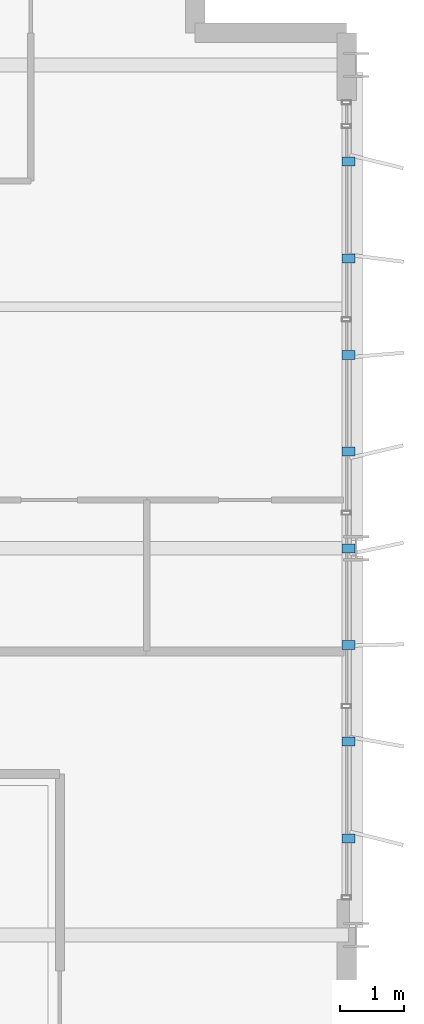
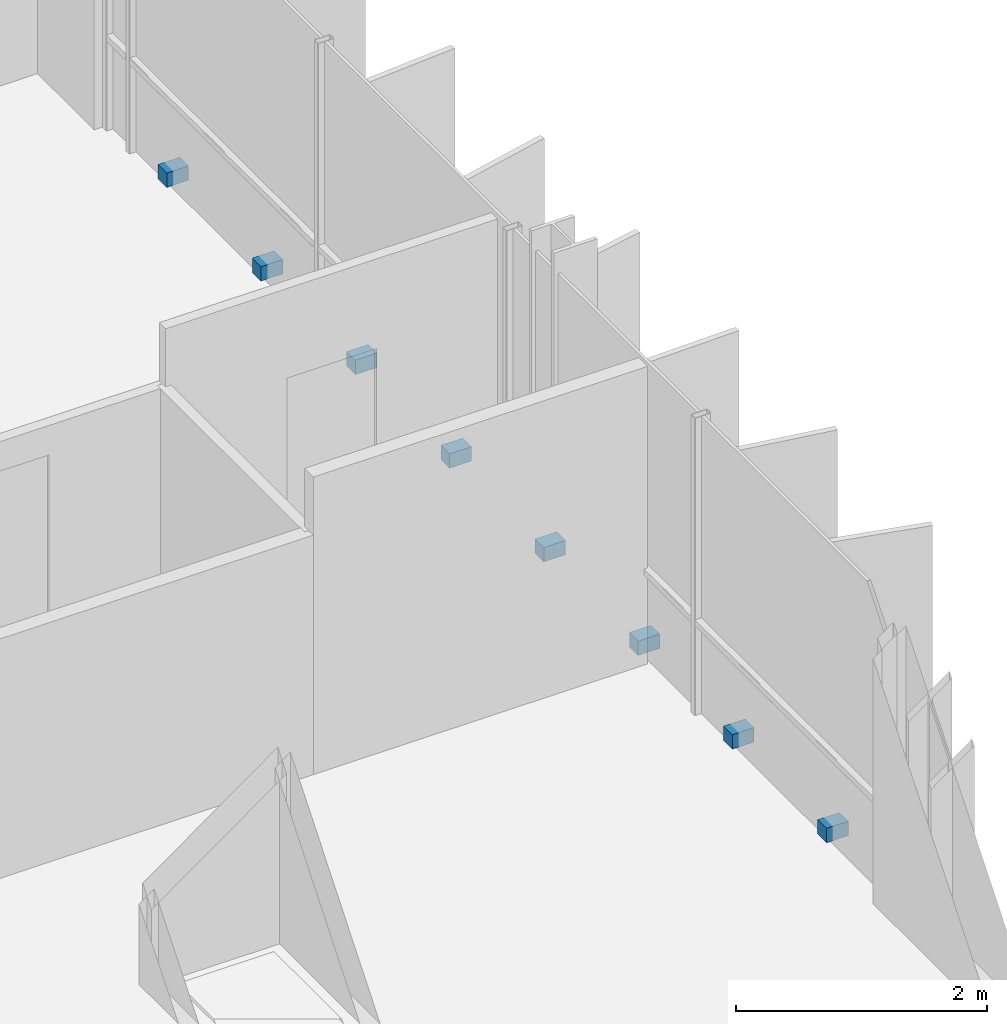
# One storey, part 26 of 28: 8 discrete accessories.
"""IFC4 building model written with IfcOpenShell, lengths in metres."""

from ifc_helpers import new_model, si_unit, direction, frame, origin, origin_2d, place, context, subcontext, project, spatial, rectangle, extrude, material, type_object, element, save


model = new_model("IFC4")

# Units and contexts
model_context = context("Model", 3, precision=1e-05, world=origin(), true_north=direction((0.0, 1.0)))
body_context = subcontext(model_context, "Body", "Model", "MODEL_VIEW")
ifc_project = project(units=[si_unit("LENGTHUNIT", "METRE"), si_unit("AREAUNIT", "SQUARE_METRE"), si_unit("VOLUMEUNIT", "CUBIC_METRE"), si_unit("PLANEANGLEUNIT", "RADIAN"), si_unit("MASSUNIT", "GRAM", prefix="KILO")], contexts=[model_context])

# Site, building, storey
site_placement = place(None, origin())
site = spatial("IfcSite", under=ifc_project, at=site_placement, CompositionType="ELEMENT")
building_placement = place(site_placement, origin())
building = spatial("IfcBuilding", under=site, at=building_placement, Name="Brevholm Reach", CompositionType="ELEMENT")
storey_placement = place(building_placement, frame((0.0, 0.0, 192.5)))
storey = spatial("IfcBuildingStorey", under=building, at=storey_placement, Name="L58", CompositionType="ELEMENT", Elevation=192.5)

# Discrete accessories
ifc_material = material(Name="Duplex Stainless Steel EN 1.4462", Category="steel")
discrete_accessory_type = type_object("IfcDiscreteAccessoryType", Name="ACC-BRK-01", PredefinedType="BRACKET", material=ifc_material)
for number, where, z_axis, x_axis, name in (
    (1, (59.8798828125, 11.5, 0.0302734375), (0.0, 0.0, 1.0), (1.0, 0.0, 0.0), "L58 Solar Screen Support Bracket 1"),
    (2, (59.8798828125, 13.0, 0.0302734375), (0.0, 0.0, 1.0), (1.0, 0.0, 0.0), "L58 Solar Screen Support Bracket 2"),
    (3, (59.8798828125, 14.5, 0.0302734375), (0.0, 0.0, 1.0), (1.0, 0.0, 0.0), "L58 Solar Screen Support Bracket 3"),
    (4, (59.8798828125, 16.0, 0.0302734375), (0.0, 0.0, 1.0), (1.0, 0.0, 0.0), "L58 Solar Screen Support Bracket 4"),
    (5, (59.8798828125, 17.5, 0.0302734375), (0.0, 0.0, 1.0), (1.0, 0.0, 0.0), "L58 Solar Screen Support Bracket 5"),
    (6, (59.8798828125, 19.0, 0.0302734375), (0.0, 0.0, 1.0), (1.0, 0.0, 0.0), "L58 Solar Screen Support Bracket 6"),
    (7, (59.8798828125, 20.5, 0.0302734375), (0.0, 0.0, 1.0), (1.0, 0.0, 0.0), "L58 Solar Screen Support Bracket 7"),
    (8, (59.8798828125, 22.0, 0.0302734375), (0.0, 0.0, 1.0), (1.0, 0.0, 0.0), "L58 Solar Screen Support Bracket 8"),
):
    element("IfcDiscreteAccessory", number, at=place(storey_placement, frame(where, z_axis=z_axis, x_axis=x_axis)), inside=storey, type_object=discrete_accessory_type, Name=name, PredefinedType="BRACKET", context=body_context, shape_type="SweptSolid", body=[
        extrude(rectangle(XDim=0.199951171875, YDim=0.139892578125, at=origin_2d()), origin(), (0.0, 0.0, 1.0), 0.139892578125),
    ])

save(model, "model.ifc")
